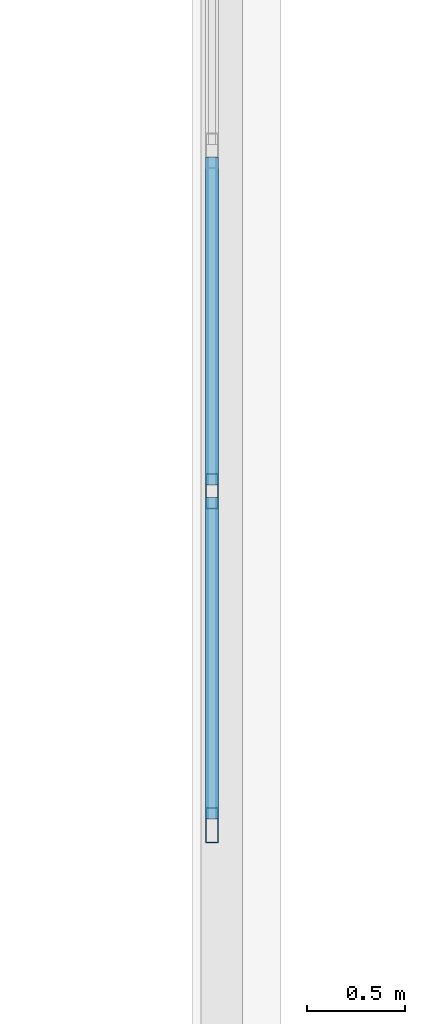
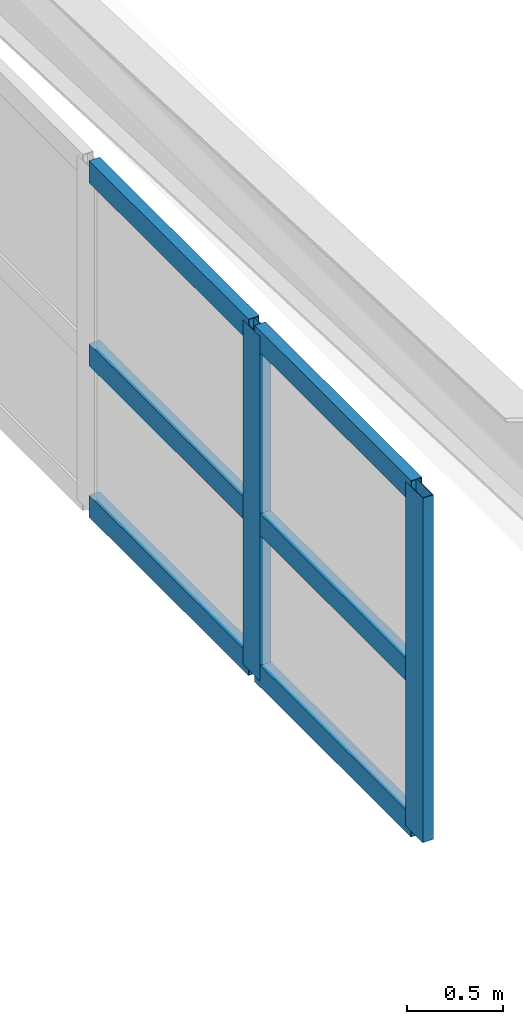
# One storey, part 31 of 128: 8 members, 1 element without a shape of its own.
"""IFC4 building model written with IfcOpenShell, lengths in metres."""

from ifc_helpers import new_model, si_unit, direction, frame, origin, origin_2d, place, context, subcontext, project, spatial, hollow_rectangle, extrude, material, layer, layer_set, material_profile, profile_set, type_object, element, aggregate, save


model = new_model("IFC4")

# Units and contexts
model_context = context("Model", 3, precision=1e-05, world=origin(), true_north=direction((0.0, 1.0)))
body_context = subcontext(model_context, "Body", "Model", "MODEL_VIEW")
ifc_project = project(units=[si_unit("LENGTHUNIT", "METRE"), si_unit("AREAUNIT", "SQUARE_METRE"), si_unit("VOLUMEUNIT", "CUBIC_METRE"), si_unit("PLANEANGLEUNIT", "RADIAN"), si_unit("MASSUNIT", "GRAM", prefix="KILO")], contexts=[model_context])

# Site, building, storey
site_placement = place(None, origin())
site = spatial("IfcSite", under=ifc_project, at=site_placement, CompositionType="ELEMENT")
building_placement = place(site_placement, origin())
building = spatial("IfcBuilding", under=site, at=building_placement, Name="Keldmere Railside Commons", CompositionType="ELEMENT")
storey_placement = place(building_placement, frame((0.0, 0.0, 4.159912109375)))
storey = spatial("IfcBuildingStorey", under=building, at=storey_placement, Name="L01", CompositionType="ELEMENT", Elevation=4.159912109375)

# Curtain wall, members
ifc_material = material(Name="Thermally Broken Aluminium", Category="aluminium")
ifc_layer = layer(ifc_material, 0.159912109375, Name="Community Hall Side Clerestory CW 5200x2200")
ifc_layer_set = layer_set([ifc_layer], Name="Thermally Broken Aluminium")
curtain_wall_type = type_object("IfcCurtainWallType", Name="Community Hall Side Clerestory CW 5200x2200", PredefinedType="NOTDEFINED", material=ifc_layer_set)
curtain_wall_placement = place(storey_placement, origin())
curtain_wall = element("IfcCurtainWall", 1, at=curtain_wall_placement, inside=storey, type_object=curtain_wall_type, Name="CW-06 CW-L01-208", PredefinedType="NOTDEFINED")
ifc_material_profile_1 = material_profile(ifc_material, hollow_rectangle(XDim=0.06494140625, YDim=0.179931640625, WallThickness=0.00390625, at=origin_2d()), Name="ALU-MULL-65x180")
ifc_profile_set_1 = profile_set([ifc_material_profile_1], Name="Thermally Broken Aluminium")
member_type_1 = type_object("IfcMemberType", Name="Civic Tall Curtain Wall Mullion 65x180", PredefinedType="MULLION", material=ifc_profile_set_1)
member_1_placement = place(storey_placement, frame((105.949951171875, 34.933349609375, 0.090087890625), z_axis=(0.0, 0.0, 1.0), x_axis=(1.0, 0.0, 0.0)))
member_1 = element("IfcMember", 2, at=member_1_placement, type_object=member_type_1, Name="CW-06 mullion 3", PredefinedType="MULLION", context=body_context, shape_type="SweptSolid", body=[
    extrude(hollow_rectangle(XDim=0.06494140625, YDim=0.179931640625, WallThickness=0.00390625, at=origin_2d()), origin(), (0.0, 0.0, 1.0), 2.199951171875),
])
member_2_placement = place(storey_placement, frame((105.949951171875, 33.232421875, 0.090087890625), z_axis=(0.0, 0.0, 1.0), x_axis=(1.0, 0.0, 0.0)))
member_2 = element("IfcMember", 3, at=member_2_placement, type_object=member_type_1, Name="CW-06 mullion 4", PredefinedType="MULLION", context=body_context, shape_type="SweptSolid", body=[
    extrude(hollow_rectangle(XDim=0.06494140625, YDim=0.179931640625, WallThickness=0.00390625, at=origin_2d()), origin(), (0.0, 0.0, 1.0), 2.199951171875),
])
ifc_material_profile_2 = material_profile(ifc_material, hollow_rectangle(XDim=0.06494140625, YDim=0.139892578125, WallThickness=0.00390625, at=origin_2d()), Name="ALU-TRAN-65x140")
ifc_profile_set_2 = profile_set([ifc_material_profile_2], Name="Thermally Broken Aluminium")
member_type_2 = type_object("IfcMemberType", Name="Civic Tall Curtain Wall Transom 65x140", PredefinedType="USERDEFINED", material=ifc_profile_set_2)
member_3_placement = place(storey_placement, frame((105.949951171875, 36.63427734375, 0.12255859375), z_axis=(0.0, -1.0, 0.0), x_axis=(1.0, 0.0, 0.0)))
member_3 = element("IfcMember", 4, at=member_3_placement, type_object=member_type_2, Name="CW-06 transom 2.1", ObjectType="TRANSOM", PredefinedType="USERDEFINED", context=body_context, shape_type="SweptSolid", body=[
    extrude(hollow_rectangle(XDim=0.06494140625, YDim=0.139892578125, WallThickness=0.00390625, at=origin_2d()), origin(), (0.0, 0.0, 1.0), 1.66845703125),
])
member_4_placement = place(storey_placement, frame((105.949951171875, 36.63427734375, 1.090087890625), z_axis=(0.0, -1.0, 0.0), x_axis=(1.0, 0.0, 0.0)))
member_4 = element("IfcMember", 5, at=member_4_placement, type_object=member_type_2, Name="CW-06 transom 2.2", ObjectType="TRANSOM", PredefinedType="USERDEFINED", context=body_context, shape_type="SweptSolid", body=[
    extrude(hollow_rectangle(XDim=0.06494140625, YDim=0.139892578125, WallThickness=0.00390625, at=origin_2d()), origin(), (0.0, 0.0, 1.0), 1.66845703125),
])
member_5_placement = place(storey_placement, frame((105.949951171875, 36.63427734375, 2.257568359375), z_axis=(0.0, -1.0, 0.0), x_axis=(1.0, 0.0, 0.0)))
member_5 = element("IfcMember", 6, at=member_5_placement, type_object=member_type_2, Name="CW-06 transom 2.3", ObjectType="TRANSOM", PredefinedType="USERDEFINED", context=body_context, shape_type="SweptSolid", body=[
    extrude(hollow_rectangle(XDim=0.06494140625, YDim=0.139892578125, WallThickness=0.00390625, at=origin_2d()), origin(), (0.0, 0.0, 1.0), 1.66845703125),
])
member_6_placement = place(storey_placement, frame((105.949951171875, 34.90087890625, 0.12255859375), z_axis=(0.0, -1.0, 0.0), x_axis=(1.0, 0.0, 0.0)))
member_6 = element("IfcMember", 7, at=member_6_placement, type_object=member_type_2, Name="CW-06 transom 3.1", ObjectType="TRANSOM", PredefinedType="USERDEFINED", context=body_context, shape_type="SweptSolid", body=[
    extrude(hollow_rectangle(XDim=0.06494140625, YDim=0.139892578125, WallThickness=0.00390625, at=origin_2d()), origin(), (0.0, 0.0, 1.0), 1.635986328125),
])
member_7_placement = place(storey_placement, frame((105.949951171875, 34.90087890625, 1.090087890625), z_axis=(0.0, -1.0, 0.0), x_axis=(1.0, 0.0, 0.0)))
member_7 = element("IfcMember", 8, at=member_7_placement, type_object=member_type_2, Name="CW-06 transom 3.2", ObjectType="TRANSOM", PredefinedType="USERDEFINED", context=body_context, shape_type="SweptSolid", body=[
    extrude(hollow_rectangle(XDim=0.06494140625, YDim=0.139892578125, WallThickness=0.00390625, at=origin_2d()), origin(), (0.0, 0.0, 1.0), 1.635986328125),
])
member_8_placement = place(storey_placement, frame((105.949951171875, 34.90087890625, 2.257568359375), z_axis=(0.0, -1.0, 0.0), x_axis=(1.0, 0.0, 0.0)))
member_8 = element("IfcMember", 9, at=member_8_placement, type_object=member_type_2, Name="CW-06 transom 3.3", ObjectType="TRANSOM", PredefinedType="USERDEFINED", context=body_context, shape_type="SweptSolid", body=[
    extrude(hollow_rectangle(XDim=0.06494140625, YDim=0.139892578125, WallThickness=0.00390625, at=origin_2d()), origin(), (0.0, 0.0, 1.0), 1.635986328125),
])
aggregate(curtain_wall, [member_1, member_2, member_3, member_4, member_5, member_6, member_7, member_8])

save(model, "model.ifc")
